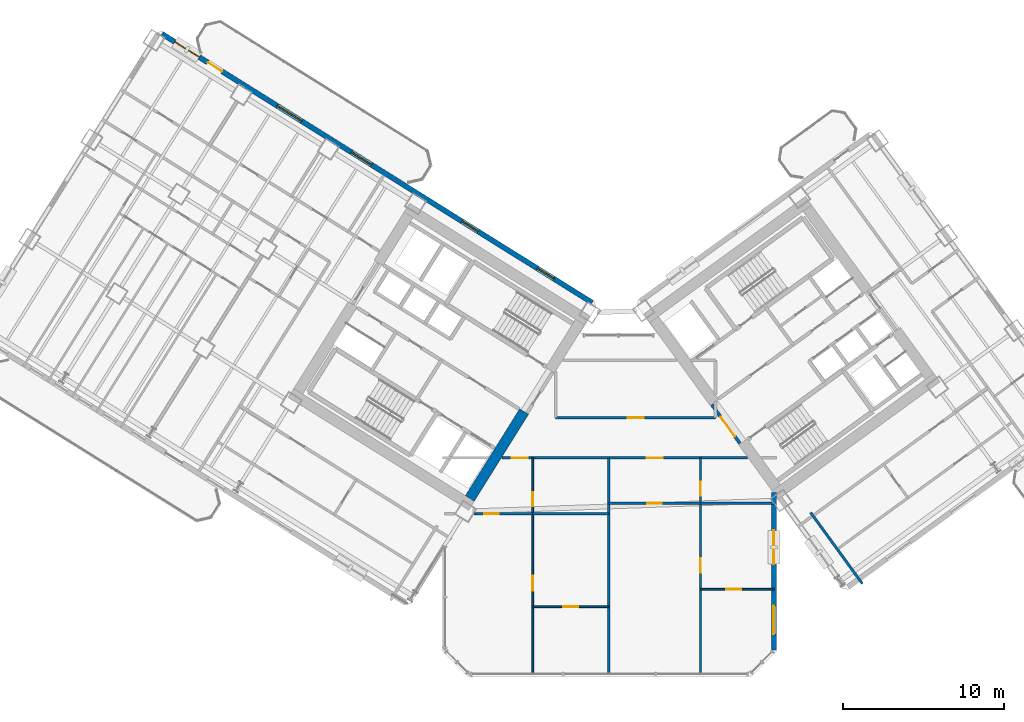
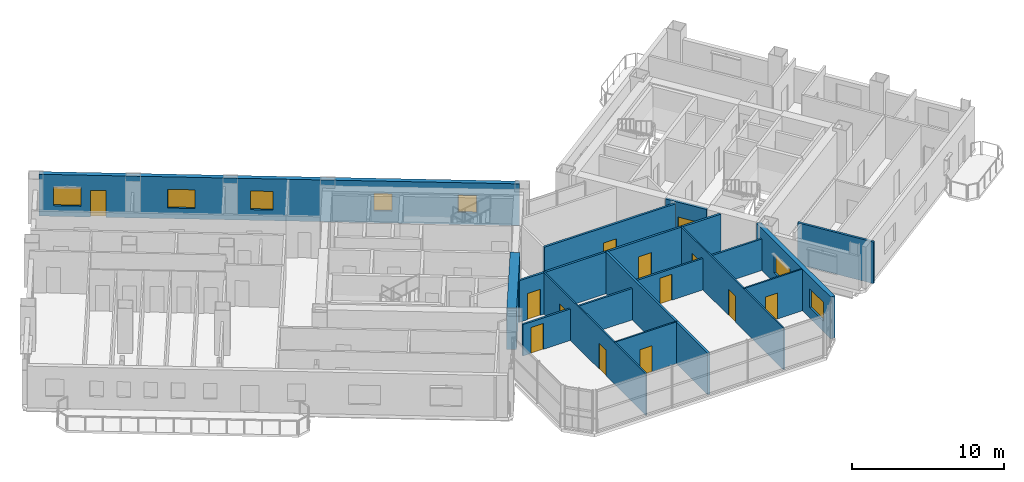
# One storey, part 17 of 24: 16 walls, 13 doors, 7 windows, 20 openings.
"""IFC4 building model written with IfcOpenShell, lengths in metres."""

from ifc_helpers import new_model, si_unit, direction, frame, frame_2d, origin, place, context, subcontext, project, spatial, rectangle, extrude, source, transform, mapped, material, layer, layer_set, type_object, element, fill, save


model = new_model("IFC4")

# Units and contexts
model_context = context("Model", 3, precision=1e-05, world=origin(), true_north=direction((0.0, 1.0)))
body_context = subcontext(model_context, "Body", "Model", "MODEL_VIEW")
ifc_project = project(units=[si_unit("LENGTHUNIT", "METRE"), si_unit("AREAUNIT", "SQUARE_METRE"), si_unit("VOLUMEUNIT", "CUBIC_METRE"), si_unit("PLANEANGLEUNIT", "RADIAN"), si_unit("MASSUNIT", "GRAM", prefix="KILO")], contexts=[model_context])

# Site, building, storey
site_placement = place(None, origin())
site = spatial("IfcSite", under=ifc_project, at=site_placement, CompositionType="ELEMENT")
building_placement = place(site_placement, origin())
building = spatial("IfcBuilding", under=site, at=building_placement, Name="Tlacorven Tower", CompositionType="ELEMENT")
storey_placement = place(building_placement, frame((0.0, 0.0, 31.199951171875)))
storey = spatial("IfcBuildingStorey", under=building, at=storey_placement, Name="L07", CompositionType="ELEMENT", Elevation=31.199951171875)

# Wall
ifc_material_1 = material(Name="Concrete C60/75", Category="concrete")
ifc_layer_1 = layer(ifc_material_1, 0.64990234375)
ifc_layer_set_1 = layer_set([ifc_layer_1], Name="Concrete C60/75")
wall_type_1 = type_object("IfcWallType", Name="WL-COR-650", PredefinedType="SHEAR", material=ifc_layer_set_1)
wall_1_placement = place(storey_placement, frame((36.683349609375, 18.30419921875, 0.0), z_axis=(0.0, 0.0, 1.0), x_axis=(-0.529899109053, -0.848060690178, 0.0)))
element("IfcWall", 1, at=wall_1_placement, inside=storey, type_object=wall_type_1, Name="L07 W core end wall E1.2", PredefinedType="SHEAR", context=body_context, shape_type="SweptSolid", body=[
    extrude(rectangle(XDim=6.375244140625, YDim=0.64990234375, at=frame_2d((3.1875, 0.0))), origin(), (0.0, 0.0, 1.0), 3.35009765625),
])

# Wall, openings, doors
ifc_material_2 = material(Name="Gypsum plasterboard acoustic partition", Category="gypsum")
ifc_layer_2 = layer(ifc_material_2, 0.159912109375)
ifc_layer_set_2 = layer_set([ifc_layer_2], Name="Gypsum plasterboard acoustic partition")
wall_type_2 = type_object("IfcWallType", Name="WL-DEM-160", PredefinedType="PARTITIONING", material=ifc_layer_set_2)
wall_2_placement = place(storey_placement, frame((35.29638671875, 15.419921875, 0.0), z_axis=(0.0, 0.0, 1.0), x_axis=(1.0, 0.0, 0.0)))
wall_2 = element("IfcWall", 2, at=wall_2_placement, inside=storey, type_object=wall_type_2, Name="L07 Knuckle Corridor South Wall", PredefinedType="PARTITIONING", context=body_context, shape_type="SweptSolid", body=[
    extrude(rectangle(XDim=15.310546875, YDim=0.159912109375, at=frame_2d((7.6552734375, 0.0))), origin(), (0.0, 0.0, 1.0), 3.340087890625),
])
opening_1_placement = place(wall_2_placement, frame((0.61474609375, 0.0, 0.0)))
opening_1 = element("IfcOpeningElement", 3, at=opening_1_placement, cuts=wall_2, Name="Opening D11", PredefinedType="OPENING", context=body_context, shape_type="SweptSolid", body=[
    extrude(rectangle(XDim=1.0, YDim=2.10009765625, at=frame_2d((0.5, 1.050048828125))), frame((0.0, 0.08984375, 0.0), z_axis=(0.0, -1.0, 0.0), x_axis=(1.0, 0.0, 0.0)), (0.0, 0.0, 1.0), 0.179931640625),
])
opening_2_placement = place(wall_2_placement, frame((9.03515625, 0.0, 0.0)))
opening_2 = element("IfcOpeningElement", 4, at=opening_2_placement, cuts=wall_2, Name="Opening D11", PredefinedType="OPENING", context=body_context, shape_type="SweptSolid", body=[
    extrude(rectangle(XDim=1.0, YDim=2.10009765625, at=frame_2d((0.5, 1.050048828125))), frame((0.0, 0.08984375, 0.0), z_axis=(0.0, -1.0, 0.0), x_axis=(1.0, 0.0, 0.0)), (0.0, 0.0, 1.0), 0.179931640625),
])
ifc_material_3 = material(Name="Fire-rated steel door assembly", Category="steel")
door_type_1 = type_object("IfcDoorType", Name="DR-FLT-FD60-1000", OperationType="NOTDEFINED", PredefinedType="DOOR", material=ifc_material_3)
shared_shape_1 = source(origin(), body_context, "Body", "SweptSolid", [
    extrude(rectangle(XDim=1.0, YDim=2.10009765625, at=frame_2d((0.5, 1.050048828125))), frame((0.0, 0.02490234375, 0.0), z_axis=(0.0, -1.0, 0.0), x_axis=(1.0, 0.0, 0.0)), (0.0, 0.0, 1.0), 0.050048828125),
])
door_1_placement = place(opening_1_placement, frame((1.0, 0.0, 0.0), z_axis=(0.0, 0.0, 1.0), x_axis=(-1.0, 0.0, 0.0)))
door_1 = element("IfcDoor", 5, at=door_1_placement, inside=storey, type_object=door_type_1, Name="L07 door 046", OperationType="SINGLE_SWING_LEFT", OverallHeight=2.10009765625, OverallWidth=1.0, PredefinedType="DOOR", context=body_context, shape_type="MappedRepresentation", body=[
    mapped(shared_shape_1, transform((0.0, 0.0, 0.0), scale=1.0)),
])
fill(opening_1, door_1)
door_2_placement = place(opening_2_placement, frame((1.0, 0.0, 0.0), z_axis=(0.0, 0.0, 1.0), x_axis=(-1.0, 0.0, 0.0)))
door_2 = element("IfcDoor", 6, at=door_2_placement, inside=storey, type_object=door_type_1, Name="L07 door 051", OperationType="SINGLE_SWING_RIGHT", OverallHeight=2.10009765625, OverallWidth=1.0, PredefinedType="DOOR", context=body_context, shape_type="MappedRepresentation", body=[
    mapped(shared_shape_1, transform((0.0, 0.0, 0.0), scale=1.0)),
])
fill(opening_2, door_2)

# Wall, opening, door
wall_3_placement = place(storey_placement, frame((38.64990234375, 17.929931640625, 0.0), z_axis=(0.0, 0.0, 1.0), x_axis=(1.0, 0.0, 0.0)))
wall_3 = element("IfcWall", 7, at=wall_3_placement, inside=storey, type_object=wall_type_2, Name="L07 partition 75", PredefinedType="PARTITIONING", context=body_context, shape_type="SweptSolid", body=[
    extrude(rectangle(XDim=9.9501953125, YDim=0.159912109375, at=frame_2d((4.97509765625, 0.0))), origin(), (0.0, 0.0, 1.0), 3.340087890625),
])
opening_3_placement = place(wall_3_placement, frame((4.47509765625, 0.0, 0.0)))
opening_3 = element("IfcOpeningElement", 8, at=opening_3_placement, cuts=wall_3, Name="Opening D11", PredefinedType="OPENING", context=body_context, shape_type="SweptSolid", body=[
    extrude(rectangle(XDim=1.0, YDim=2.10009765625, at=frame_2d((0.5, 1.050048828125))), frame((0.0, 0.08984375, 0.0), z_axis=(0.0, -1.0, 0.0), x_axis=(1.0, 0.0, 0.0)), (0.0, 0.0, 1.0), 0.179931640625),
])
door_3_placement = place(opening_3_placement, origin())
door_3 = element("IfcDoor", 9, at=door_3_placement, inside=storey, type_object=door_type_1, Name="L07 door 041", OperationType="SINGLE_SWING_RIGHT", OverallHeight=2.10009765625, OverallWidth=1.0, PredefinedType="DOOR", context=body_context, shape_type="MappedRepresentation", body=[
    mapped(shared_shape_1, transform((0.0, 0.0, 0.0), scale=1.0)),
])
fill(opening_3, door_3)

# Walls
wall_4_placement = place(storey_placement, frame((41.949951171875, 1.9599609375, 0.0), z_axis=(0.0, 0.0, 1.0), x_axis=(0.0, 1.0, 0.0)))
element("IfcWall", 10, at=wall_4_placement, inside=storey, type_object=wall_type_2, Name="L07 Knuckle Demising Wall 1", PredefinedType="PARTITIONING", context=body_context, shape_type="SweptSolid", body=[
    extrude(rectangle(XDim=13.4599609375, YDim=0.159912109375, at=frame_2d((6.72998046875, 0.0))), origin(), (0.0, 0.0, 1.0), 3.340087890625),
])
wall_5_placement = place(storey_placement, frame((57.747314453125, 7.586181640625, 0.0), z_axis=(0.0, 0.0, 1.0), x_axis=(-0.587784893399, 0.809017255126, 0.0)))
element("IfcWall", 11, at=wall_5_placement, inside=storey, type_object=wall_type_2, Name="L07 EC West Throat Wall", PredefinedType="PARTITIONING", context=body_context, shape_type="SweptSolid", body=[
    extrude(rectangle(XDim=5.480224609375, YDim=0.159912109375, at=frame_2d((2.740234375, 0.0))), origin(), (0.0, 0.0, 1.0), 3.340087890625),
])

# Wall, openings, door, windows
ifc_material_4 = material(Name="Precast concrete C45/55", Category="concrete")
ifc_layer_3 = layer(ifc_material_4, 0.320068359375)
ifc_layer_set_3 = layer_set([ifc_layer_3], Name="Precast concrete C45/55")
wall_type_3 = type_object("IfcWallType", Name="WL-EXT-320", PredefinedType="STANDARD", material=ifc_layer_set_3)
wall_6_placement = place(storey_placement, frame((14.13818359375, 41.825439453125, 0.0), z_axis=(0.0, 0.0, 1.0), x_axis=(0.848046498049, -0.529921821731, 0.0)))
wall_6 = element("IfcWall", 12, at=wall_6_placement, inside=storey, type_object=wall_type_3, Name="L07 Masonry-Frame Recessed Facade Wall 3", PredefinedType="STANDARD", context=body_context, shape_type="SweptSolid", body=[
    extrude(rectangle(XDim=31.587646484375, YDim=0.320068359375, at=frame_2d((15.7939453125, 0.0))), origin(), (0.0, 0.0, 1.0), 3.35009765625),
])
opening_4_placement = place(wall_6_placement, frame((3.368896484375, 0.0, 0.0)))
opening_4 = element("IfcOpeningElement", 13, at=opening_4_placement, cuts=wall_6, Name="Opening D06", PredefinedType="OPENING", context=body_context, shape_type="SweptSolid", body=[
    extrude(rectangle(XDim=1.050048828125, YDim=2.14990234375, at=frame_2d((0.52490234375, 1.074951171875))), frame((0.0, 0.169921875, 0.0), z_axis=(0.0, -1.0, 0.0), x_axis=(1.0, 0.0, 0.0)), (0.0, 0.0, 1.0), 0.340087890625),
])
opening_5_placement = place(wall_6_placement, frame((0.9462890625, 0.0, 0.85009765625)))
opening_5 = element("IfcOpeningElement", 14, at=opening_5_placement, cuts=wall_6, Name="Opening WN01", PredefinedType="OPENING", context=body_context, shape_type="SweptSolid", body=[
    extrude(rectangle(XDim=1.800048828125, YDim=1.5, at=frame_2d((0.89990234375, 0.75))), frame((0.0, 0.169921875, 0.0), z_axis=(0.0, -1.0, 0.0), x_axis=(1.0, 0.0, 0.0)), (0.0, 0.0, 1.0), 0.340087890625),
])
opening_6_placement = place(wall_6_placement, frame((8.460205078125, 0.0, 0.85009765625)))
opening_6 = element("IfcOpeningElement", 15, at=opening_6_placement, cuts=wall_6, Name="Opening WN01", PredefinedType="OPENING", context=body_context, shape_type="SweptSolid", body=[
    extrude(rectangle(XDim=1.800048828125, YDim=1.5, at=frame_2d((0.89990234375, 0.75))), frame((0.0, 0.169921875, 0.0), z_axis=(0.0, -1.0, 0.0), x_axis=(1.0, 0.0, 0.0)), (0.0, 0.0, 1.0), 0.340087890625),
])
opening_7_placement = place(wall_6_placement, frame((13.898681640625, 0.0, 0.85009765625)))
opening_7 = element("IfcOpeningElement", 16, at=opening_7_placement, cuts=wall_6, Name="Opening WN02", PredefinedType="OPENING", context=body_context, shape_type="SweptSolid", body=[
    extrude(rectangle(XDim=1.5, YDim=1.5, at=frame_2d((0.75, 0.75))), frame((0.0, 0.169921875, 0.0), z_axis=(0.0, -1.0, 0.0), x_axis=(1.0, 0.0, 0.0)), (0.0, 0.0, 1.0), 0.340087890625),
])
opening_8_placement = place(wall_6_placement, frame((22.018798828125, 0.0, 0.949951171875)))
opening_8 = element("IfcOpeningElement", 17, at=opening_8_placement, cuts=wall_6, Name="Opening WN03", PredefinedType="OPENING", context=body_context, shape_type="SweptSolid", body=[
    extrude(rectangle(XDim=1.199951171875, YDim=1.39990234375, at=frame_2d((0.60009765625, 0.699951171875))), frame((0.0, 0.169921875, 0.0), z_axis=(0.0, -1.0, 0.0), x_axis=(1.0, 0.0, 0.0)), (0.0, 0.0, 1.0), 0.340087890625),
])
opening_9_placement = place(wall_6_placement, frame((27.568603515625, 0.0, 0.949951171875)))
opening_9 = element("IfcOpeningElement", 18, at=opening_9_placement, cuts=wall_6, Name="Opening WN03", PredefinedType="OPENING", context=body_context, shape_type="SweptSolid", body=[
    extrude(rectangle(XDim=1.199951171875, YDim=1.39990234375, at=frame_2d((0.60009765625, 0.699951171875))), frame((0.0, 0.169921875, 0.0), z_axis=(0.0, -1.0, 0.0), x_axis=(1.0, 0.0, 0.0)), (0.0, 0.0, 1.0), 0.340087890625),
])
ifc_material_5 = material(Name="Powder-coated aluminium and timber door", Category="wood")
door_type_2 = type_object("IfcDoorType", Name="DR-EXT-BALC-1050", OperationType="NOTDEFINED", PredefinedType="DOOR", material=ifc_material_5)
shared_shape_2 = source(origin(), body_context, "Body", "SweptSolid", [
    extrude(rectangle(XDim=1.050048828125, YDim=2.14990234375, at=frame_2d((0.52490234375, 1.074951171875))), frame((0.0, 0.02490234375, 0.0), z_axis=(0.0, -1.0, 0.0), x_axis=(1.0, 0.0, 0.0)), (0.0, 0.0, 1.0), 0.050048828125),
])
door_4_placement = place(opening_4_placement, origin())
door_4 = element("IfcDoor", 19, at=door_4_placement, inside=storey, type_object=door_type_2, Name="L07 Outdoor Access Door BAL-L07-W-IN", OperationType="SINGLE_SWING_RIGHT", OverallHeight=2.14990234375, OverallWidth=1.050048828125, PredefinedType="DOOR", context=body_context, shape_type="MappedRepresentation", body=[
    mapped(shared_shape_2, transform((0.0, 0.0, 0.0), scale=1.0)),
])
fill(opening_4, door_4)
ifc_material_6 = material(Name="Dark solar low-E double glazing in anodised aluminium frame", Category="aluminium")
window_type_1 = type_object("IfcWindowType", Name="WN-APT-1200X1500", PartitioningType="SINGLE_PANEL", PredefinedType="WINDOW", material=ifc_material_6)
shared_shape_3 = source(origin(), body_context, "Body", "SweptSolid", [
    extrude(rectangle(XDim=1.199951171875, YDim=1.39990234375, at=frame_2d((0.60009765625, 0.699951171875))), frame((0.0, 0.030029296875, 0.0), z_axis=(0.0, -1.0, 0.0), x_axis=(1.0, 0.0, 0.0)), (0.0, 0.0, 1.0), 0.06005859375),
])
window_1_placement = place(opening_8_placement, origin())
window_1 = element("IfcWindow", 20, at=window_1_placement, inside=storey, type_object=window_type_1, Name="L07 Recessed Masonry-Frame Window L07-03.4", OverallHeight=1.39990234375, OverallWidth=1.199951171875, PartitioningType="SINGLE_PANEL", PredefinedType="WINDOW", context=body_context, shape_type="MappedRepresentation", body=[
    mapped(shared_shape_3, transform((0.0, 0.0, 0.0), scale=1.0)),
])
fill(opening_8, window_1)
window_2_placement = place(opening_9_placement, origin())
window_2 = element("IfcWindow", 21, at=window_2_placement, inside=storey, type_object=window_type_1, Name="L07 Recessed Masonry-Frame Window L07-03.5", OverallHeight=1.39990234375, OverallWidth=1.199951171875, PartitioningType="SINGLE_PANEL", PredefinedType="WINDOW", context=body_context, shape_type="MappedRepresentation", body=[
    mapped(shared_shape_3, transform((0.0, 0.0, 0.0), scale=1.0)),
])
fill(opening_9, window_2)
window_type_2 = type_object("IfcWindowType", Name="WN-APT-1800X1650", PartitioningType="SINGLE_PANEL", PredefinedType="WINDOW", material=ifc_material_6)
shared_shape_4 = source(origin(), body_context, "Body", "SweptSolid", [
    extrude(rectangle(XDim=1.800048828125, YDim=1.5, at=frame_2d((0.89990234375, 0.75))), frame((0.0, 0.030029296875, 0.0), z_axis=(0.0, -1.0, 0.0), x_axis=(1.0, 0.0, 0.0)), (0.0, 0.0, 1.0), 0.06005859375),
])
window_3_placement = place(opening_5_placement, origin())
window_3 = element("IfcWindow", 22, at=window_3_placement, inside=storey, type_object=window_type_2, Name="L07 Recessed Masonry-Frame Window L07-03.1", OverallHeight=1.5, OverallWidth=1.800048828125, PartitioningType="SINGLE_PANEL", PredefinedType="WINDOW", context=body_context, shape_type="MappedRepresentation", body=[
    mapped(shared_shape_4, transform((0.0, 0.0, 0.0), scale=1.0)),
])
fill(opening_5, window_3)
window_4_placement = place(opening_6_placement, origin())
window_4 = element("IfcWindow", 23, at=window_4_placement, inside=storey, type_object=window_type_2, Name="L07 Recessed Masonry-Frame Window L07-03.2", OverallHeight=1.5, OverallWidth=1.800048828125, PartitioningType="SINGLE_PANEL", PredefinedType="WINDOW", context=body_context, shape_type="MappedRepresentation", body=[
    mapped(shared_shape_4, transform((0.0, 0.0, 0.0), scale=1.0)),
])
fill(opening_6, window_4)
window_type_3 = type_object("IfcWindowType", Name="WN-APT-1500X1650", PartitioningType="SINGLE_PANEL", PredefinedType="WINDOW", material=ifc_material_6)
shared_shape_5 = source(origin(), body_context, "Body", "SweptSolid", [
    extrude(rectangle(XDim=1.5, YDim=1.5, at=frame_2d((0.75, 0.75))), frame((0.0, 0.030029296875, 0.0), z_axis=(0.0, -1.0, 0.0), x_axis=(1.0, 0.0, 0.0)), (0.0, 0.0, 1.0), 0.06005859375),
])
window_5_placement = place(opening_7_placement, origin())
window_5 = element("IfcWindow", 24, at=window_5_placement, inside=storey, type_object=window_type_3, Name="L07 Recessed Masonry-Frame Window L07-03.3", OverallHeight=1.5, OverallWidth=1.5, PartitioningType="SINGLE_PANEL", PredefinedType="WINDOW", context=body_context, shape_type="MappedRepresentation", body=[
    mapped(shared_shape_5, transform((0.0, 0.0, 0.0), scale=1.0)),
])
fill(opening_7, window_5)

# Wall, openings, windows
wall_7_placement = place(storey_placement, frame((52.239990234375, 13.260986328125, 0.0), z_axis=(0.0, 0.0, 1.0), x_axis=(0.0, -1.0, 0.0)))
wall_7 = element("IfcWall", 25, at=wall_7_placement, inside=storey, type_object=wall_type_3, Name="L07 Masonry-Frame Recessed Facade Wall 8", PredefinedType="STANDARD", context=body_context, shape_type="SweptSolid", body=[
    extrude(rectangle(XDim=9.794677734375, YDim=0.320068359375, at=frame_2d((4.8974609375, 0.0))), origin(), (0.0, 0.0, 1.0), 3.35009765625),
])
opening_10_placement = place(wall_7_placement, frame((2.349365234375, 0.0, 0.800048828125)))
opening_10 = element("IfcOpeningElement", 26, at=opening_10_placement, cuts=wall_7, Name="Opening WN04", PredefinedType="OPENING", context=body_context, shape_type="SweptSolid", body=[
    extrude(rectangle(XDim=2.10009765625, YDim=1.550048828125, at=frame_2d((1.050048828125, 0.77490234375))), frame((0.0, 0.169921875, 0.0), z_axis=(0.0, -1.0, 0.0), x_axis=(1.0, 0.0, 0.0)), (0.0, 0.0, 1.0), 0.340087890625),
])
opening_11_placement = place(wall_7_placement, frame((7.0302734375, 0.0, 0.85009765625)))
opening_11 = element("IfcOpeningElement", 27, at=opening_11_placement, cuts=wall_7, Name="Opening WN01", PredefinedType="OPENING", context=body_context, shape_type="SweptSolid", body=[
    extrude(rectangle(XDim=1.800048828125, YDim=1.5, at=frame_2d((0.89990234375, 0.75))), frame((0.0, 0.169921875, 0.0), z_axis=(0.0, -1.0, 0.0), x_axis=(1.0, 0.0, 0.0)), (0.0, 0.0, 1.0), 0.340087890625),
])
window_type_4 = type_object("IfcWindowType", Name="WN-APT-2100X1750", PartitioningType="SINGLE_PANEL", PredefinedType="WINDOW", material=ifc_material_6)
shared_shape_6 = source(origin(), body_context, "Body", "SweptSolid", [
    extrude(rectangle(XDim=2.10009765625, YDim=1.550048828125, at=frame_2d((1.050048828125, 0.77490234375))), frame((0.0, 0.030029296875, 0.0), z_axis=(0.0, -1.0, 0.0), x_axis=(1.0, 0.0, 0.0)), (0.0, 0.0, 1.0), 0.06005859375),
])
window_6_placement = place(opening_10_placement, origin())
window_6 = element("IfcWindow", 28, at=window_6_placement, inside=storey, type_object=window_type_4, Name="L07 Recessed Masonry-Frame Window L07-08.1", OverallHeight=1.550048828125, OverallWidth=2.10009765625, PartitioningType="SINGLE_PANEL", PredefinedType="WINDOW", context=body_context, shape_type="MappedRepresentation", body=[
    mapped(shared_shape_6, transform((0.0, 0.0, 0.0), scale=1.0)),
])
fill(opening_10, window_6)
window_7_placement = place(opening_11_placement, origin())
window_7 = element("IfcWindow", 29, at=window_7_placement, inside=storey, type_object=window_type_2, Name="L07 Recessed Masonry-Frame Window L07-08.2", OverallHeight=1.5, OverallWidth=1.800048828125, PartitioningType="SINGLE_PANEL", PredefinedType="WINDOW", context=body_context, shape_type="MappedRepresentation", body=[
    mapped(shared_shape_4, transform((0.0, 0.0, 0.0), scale=1.0)),
])
fill(opening_11, window_7)

# Wall, openings, doors
ifc_material_7 = material(Name="Gypsum plasterboard partition", Category="gypsum")
ifc_layer_4 = layer(ifc_material_7, 0.110107421875)
ifc_layer_set_4 = layer_set([ifc_layer_4], Name="Gypsum plasterboard partition")
wall_type_4 = type_object("IfcWallType", Name="WL-INT-110", PredefinedType="PARTITIONING", material=ifc_layer_set_4)
wall_8_placement = place(storey_placement, frame((37.221923828125, 1.9599609375, 0.0), z_axis=(0.0, 0.0, 1.0), x_axis=(0.0, 1.0, 0.0)))
wall_8 = element("IfcWall", 30, at=wall_8_placement, inside=storey, type_object=wall_type_4, Name="L07 partition 81", PredefinedType="PARTITIONING", context=body_context, shape_type="SweptSolid", body=[
    extrude(rectangle(XDim=13.4599609375, YDim=0.110107421875, at=frame_2d((6.72998046875, 0.0))), origin(), (0.0, 0.0, 1.0), 3.340087890625),
])
opening_12_placement = place(wall_8_placement, frame((5.199951171875, 0.0, 0.0)))
opening_12 = element("IfcOpeningElement", 31, at=opening_12_placement, cuts=wall_8, Name="Opening D12", PredefinedType="OPENING", context=body_context, shape_type="SweptSolid", body=[
    extrude(rectangle(XDim=0.919921875, YDim=2.080078125, at=frame_2d((0.4599609375, 1.0400390625))), frame((0.0, 0.06494140625, 0.0), z_axis=(0.0, -1.0, 0.0), x_axis=(1.0, 0.0, 0.0)), (0.0, 0.0, 1.0), 0.130126953125),
])
opening_13_placement = place(wall_8_placement, frame((10.449951171875, 0.0, 0.0)))
opening_13 = element("IfcOpeningElement", 32, at=opening_13_placement, cuts=wall_8, Name="Opening D13", PredefinedType="OPENING", context=body_context, shape_type="SweptSolid", body=[
    extrude(rectangle(XDim=0.8798828125, YDim=2.080078125, at=frame_2d((0.43994140625, 1.0400390625))), frame((0.0, 0.06494140625, 0.0), z_axis=(0.0, -1.0, 0.0), x_axis=(1.0, 0.0, 0.0)), (0.0, 0.0, 1.0), 0.130126953125),
])
door_type_3 = type_object("IfcDoorType", Name="DR-INT-WET-0880", OperationType="NOTDEFINED", PredefinedType="DOOR", material=ifc_material_5)
shared_shape_7 = source(origin(), body_context, "Body", "SweptSolid", [
    extrude(rectangle(XDim=0.8798828125, YDim=2.080078125, at=frame_2d((0.43994140625, 1.0400390625))), frame((0.0, 0.02490234375, 0.0), z_axis=(0.0, -1.0, 0.0), x_axis=(1.0, 0.0, 0.0)), (0.0, 0.0, 1.0), 0.050048828125),
])
door_5_placement = place(opening_13_placement, origin())
door_5 = element("IfcDoor", 33, at=door_5_placement, inside=storey, type_object=door_type_3, Name="L07 door 048", OperationType="SINGLE_SWING_LEFT", OverallHeight=2.080078125, OverallWidth=0.8798828125, PredefinedType="DOOR", context=body_context, shape_type="MappedRepresentation", body=[
    mapped(shared_shape_7, transform((0.0, 0.0, 0.0), scale=1.0)),
])
fill(opening_13, door_5)
door_type_4 = type_object("IfcDoorType", Name="DR-INT-ROOM-0920", OperationType="NOTDEFINED", PredefinedType="DOOR", material=ifc_material_5)
shared_shape_8 = source(origin(), body_context, "Body", "SweptSolid", [
    extrude(rectangle(XDim=0.919921875, YDim=2.080078125, at=frame_2d((0.4599609375, 1.0400390625))), frame((0.0, 0.02490234375, 0.0), z_axis=(0.0, -1.0, 0.0), x_axis=(1.0, 0.0, 0.0)), (0.0, 0.0, 1.0), 0.050048828125),
])
door_6_placement = place(opening_12_placement, origin())
door_6 = element("IfcDoor", 34, at=door_6_placement, inside=storey, type_object=door_type_4, Name="L07 door 044", OperationType="SINGLE_SWING_LEFT", OverallHeight=2.080078125, OverallWidth=0.919921875, PredefinedType="DOOR", context=body_context, shape_type="MappedRepresentation", body=[
    mapped(shared_shape_8, transform((0.0, 0.0, 0.0), scale=1.0)),
])
fill(opening_12, door_6)

# Wall, opening, door
wall_9_placement = place(storey_placement, frame((37.221923828125, 6.14990234375, 0.0), z_axis=(0.0, 0.0, 1.0), x_axis=(1.0, 0.0, 0.0)))
wall_9 = element("IfcWall", 35, at=wall_9_placement, inside=storey, type_object=wall_type_4, Name="L07 partition 84", PredefinedType="PARTITIONING", context=body_context, shape_type="SweptSolid", body=[
    extrude(rectangle(XDim=4.72802734375, YDim=0.110107421875, at=frame_2d((2.364013671875, 0.0))), origin(), (0.0, 0.0, 1.0), 3.340087890625),
])
opening_14_placement = place(wall_9_placement, frame((1.904052734375, 0.0, 0.0)))
opening_14 = element("IfcOpeningElement", 36, at=opening_14_placement, cuts=wall_9, Name="Opening D12", PredefinedType="OPENING", context=body_context, shape_type="SweptSolid", body=[
    extrude(rectangle(XDim=0.919921875, YDim=2.080078125, at=frame_2d((0.4599609375, 1.0400390625))), frame((0.0, 0.06494140625, 0.0), z_axis=(0.0, -1.0, 0.0), x_axis=(1.0, 0.0, 0.0)), (0.0, 0.0, 1.0), 0.130126953125),
])
door_7_placement = place(opening_14_placement, origin())
door_7 = element("IfcDoor", 37, at=door_7_placement, inside=storey, type_object=door_type_4, Name="L07 door 045", OperationType="SINGLE_SWING_RIGHT", OverallHeight=2.080078125, OverallWidth=0.919921875, PredefinedType="DOOR", context=body_context, shape_type="MappedRepresentation", body=[
    mapped(shared_shape_8, transform((0.0, 0.0, 0.0), scale=1.0)),
])
fill(opening_14, door_7)

# Wall, openings, doors
wall_10_placement = place(storey_placement, frame((47.6630859375, 1.9599609375, 0.0), z_axis=(0.0, 0.0, 1.0), x_axis=(0.0, 1.0, 0.0)))
wall_10 = element("IfcWall", 38, at=wall_10_placement, inside=storey, type_object=wall_type_4, Name="L07 partition 85", PredefinedType="PARTITIONING", context=body_context, shape_type="SweptSolid", body=[
    extrude(rectangle(XDim=13.4599609375, YDim=0.110107421875, at=frame_2d((6.72998046875, 0.0))), origin(), (0.0, 0.0, 1.0), 3.340087890625),
])
opening_15_placement = place(wall_10_placement, frame((6.300048828125, 0.0, 0.0)))
opening_15 = element("IfcOpeningElement", 39, at=opening_15_placement, cuts=wall_10, Name="Opening D12", PredefinedType="OPENING", context=body_context, shape_type="SweptSolid", body=[
    extrude(rectangle(XDim=0.919921875, YDim=2.080078125, at=frame_2d((0.4599609375, 1.0400390625))), frame((0.0, 0.06494140625, 0.0), z_axis=(0.0, -1.0, 0.0), x_axis=(1.0, 0.0, 0.0)), (0.0, 0.0, 1.0), 0.130126953125),
])
opening_16_placement = place(wall_10_placement, frame((11.10009765625, 0.0, 0.0)))
opening_16 = element("IfcOpeningElement", 40, at=opening_16_placement, cuts=wall_10, Name="Opening D13", PredefinedType="OPENING", context=body_context, shape_type="SweptSolid", body=[
    extrude(rectangle(XDim=0.8798828125, YDim=2.080078125, at=frame_2d((0.43994140625, 1.0400390625))), frame((0.0, 0.06494140625, 0.0), z_axis=(0.0, -1.0, 0.0), x_axis=(1.0, 0.0, 0.0)), (0.0, 0.0, 1.0), 0.130126953125),
])
door_8_placement = place(opening_16_placement, origin())
door_8 = element("IfcDoor", 41, at=door_8_placement, inside=storey, type_object=door_type_3, Name="L07 door 053", OperationType="SINGLE_SWING_RIGHT", OverallHeight=2.080078125, OverallWidth=0.8798828125, PredefinedType="DOOR", context=body_context, shape_type="MappedRepresentation", body=[
    mapped(shared_shape_7, transform((0.0, 0.0, 0.0), scale=1.0)),
])
fill(opening_16, door_8)
door_9_placement = place(opening_15_placement, origin())
door_9 = element("IfcDoor", 42, at=door_9_placement, inside=storey, type_object=door_type_4, Name="L07 door 049", OperationType="SINGLE_SWING_RIGHT", OverallHeight=2.080078125, OverallWidth=0.919921875, PredefinedType="DOOR", context=body_context, shape_type="MappedRepresentation", body=[
    mapped(shared_shape_8, transform((0.0, 0.0, 0.0), scale=1.0)),
])
fill(opening_15, door_9)

# Wall, opening, door
wall_11_placement = place(storey_placement, frame((47.6630859375, 7.25, 0.0), z_axis=(0.0, 0.0, 1.0), x_axis=(1.0, 0.0, 0.0)))
wall_11 = element("IfcWall", 43, at=wall_11_placement, inside=storey, type_object=wall_type_4, Name="L07 partition 88", PredefinedType="PARTITIONING", context=body_context, shape_type="SweptSolid", body=[
    extrude(rectangle(XDim=4.596923828125, YDim=0.110107421875, at=frame_2d((2.29833984375, 0.0))), origin(), (0.0, 0.0, 1.0), 3.340087890625),
])
opening_17_placement = place(wall_11_placement, frame((1.6083984375, 0.0, 0.0)))
opening_17 = element("IfcOpeningElement", 44, at=opening_17_placement, cuts=wall_11, Name="Opening D12", PredefinedType="OPENING", context=body_context, shape_type="SweptSolid", body=[
    extrude(rectangle(XDim=0.919921875, YDim=2.080078125, at=frame_2d((0.4599609375, 1.0400390625))), frame((0.0, 0.06494140625, 0.0), z_axis=(0.0, -1.0, 0.0), x_axis=(1.0, 0.0, 0.0)), (0.0, 0.0, 1.0), 0.130126953125),
])
door_10_placement = place(opening_17_placement, origin())
door_10 = element("IfcDoor", 45, at=door_10_placement, inside=storey, type_object=door_type_4, Name="L07 door 050", OperationType="SINGLE_SWING_LEFT", OverallHeight=2.080078125, OverallWidth=0.919921875, PredefinedType="DOOR", context=body_context, shape_type="MappedRepresentation", body=[
    mapped(shared_shape_8, transform((0.0, 0.0, 0.0), scale=1.0)),
])
fill(opening_17, door_10)

ifc_material_8 = material(Name="Moisture-resistant gypsum plumbing wall", Category="gypsum")
ifc_layer_5 = layer(ifc_material_8, 0.139892578125)
ifc_layer_set_5 = layer_set([ifc_layer_5], Name="Moisture-resistant gypsum plumbing wall")
wall_type_5 = type_object("IfcWallType", Name="WL-PLM-140", PredefinedType="PLUMBINGWALL", material=ifc_layer_set_5)
wall_12_placement = place(storey_placement, frame((33.564453125, 11.949951171875, 0.0), z_axis=(0.0, 0.0, 1.0), x_axis=(1.0, 0.0, 0.0)))
wall_12 = element("IfcWall", 46, at=wall_12_placement, inside=storey, type_object=wall_type_5, Name="L07 partition 82", PredefinedType="PLUMBINGWALL", context=body_context, shape_type="SweptSolid", body=[
    extrude(rectangle(XDim=3.657470703125, YDim=0.139892578125, at=frame_2d((1.82861328125, 0.0))), origin(), (0.0, 0.0, 1.0), 2.525146484375),
])
opening_18_placement = place(wall_12_placement, frame((0.63671875, 0.0, 0.0)))
opening_18 = element("IfcOpeningElement", 47, at=opening_18_placement, cuts=wall_12, Name="Opening D12", PredefinedType="OPENING", context=body_context, shape_type="SweptSolid", body=[
    extrude(rectangle(XDim=0.919921875, YDim=2.080078125, at=frame_2d((0.4599609375, 1.0400390625))), frame((0.0, 0.080078125, 0.0), z_axis=(0.0, -1.0, 0.0), x_axis=(1.0, 0.0, 0.0)), (0.0, 0.0, 1.0), 0.159912109375),
])
door_11_placement = place(opening_18_placement, frame((0.919921875, 0.0, 0.0), z_axis=(0.0, 0.0, 1.0), x_axis=(-1.0, 0.0, 0.0)))
door_11 = element("IfcDoor", 48, at=door_11_placement, inside=storey, type_object=door_type_4, Name="L07 door 047", OperationType="SINGLE_SWING_RIGHT", OverallHeight=2.080078125, OverallWidth=0.919921875, PredefinedType="DOOR", context=body_context, shape_type="MappedRepresentation", body=[
    mapped(shared_shape_8, transform((0.0, 0.0, 0.0), scale=1.0)),
])
fill(opening_18, door_11)

# Wall
wall_13_placement = place(storey_placement, frame((37.221923828125, 11.949951171875, 0.0), z_axis=(0.0, 0.0, 1.0), x_axis=(1.0, 0.0, 0.0)))
element("IfcWall", 49, at=wall_13_placement, inside=storey, type_object=wall_type_5, Name="L07 partition 83", PredefinedType="PLUMBINGWALL", context=body_context, shape_type="SweptSolid", body=[
    extrude(rectangle(XDim=4.72802734375, YDim=0.139892578125, at=frame_2d((2.364013671875, 0.0))), origin(), (0.0, 0.0, 1.0), 2.525146484375),
])

# Wall, opening, door
wall_14_placement = place(storey_placement, frame((41.949951171875, 12.60009765625, 0.0), z_axis=(0.0, 0.0, 1.0), x_axis=(1.0, 0.0, 0.0)))
wall_14 = element("IfcWall", 50, at=wall_14_placement, inside=storey, type_object=wall_type_5, Name="L07 partition 86", PredefinedType="PLUMBINGWALL", context=body_context, shape_type="SweptSolid", body=[
    extrude(rectangle(XDim=5.713134765625, YDim=0.139892578125, at=frame_2d((2.8564453125, 0.0))), origin(), (0.0, 0.0, 1.0), 2.525146484375),
])
opening_19_placement = place(wall_14_placement, frame((2.396484375, 0.0, 0.0)))
opening_19 = element("IfcOpeningElement", 51, at=opening_19_placement, cuts=wall_14, Name="Opening D12", PredefinedType="OPENING", context=body_context, shape_type="SweptSolid", body=[
    extrude(rectangle(XDim=0.919921875, YDim=2.080078125, at=frame_2d((0.4599609375, 1.0400390625))), frame((0.0, 0.080078125, 0.0), z_axis=(0.0, -1.0, 0.0), x_axis=(1.0, 0.0, 0.0)), (0.0, 0.0, 1.0), 0.159912109375),
])
door_12_placement = place(opening_19_placement, frame((0.919921875, 0.0, 0.0), z_axis=(0.0, 0.0, 1.0), x_axis=(-1.0, 0.0, 0.0)))
door_12 = element("IfcDoor", 52, at=door_12_placement, inside=storey, type_object=door_type_4, Name="L07 door 052", OperationType="SINGLE_SWING_LEFT", OverallHeight=2.080078125, OverallWidth=0.919921875, PredefinedType="DOOR", context=body_context, shape_type="MappedRepresentation", body=[
    mapped(shared_shape_8, transform((0.0, 0.0, 0.0), scale=1.0)),
])
fill(opening_19, door_12)

# Wall
wall_15_placement = place(storey_placement, frame((47.6630859375, 12.60009765625, 0.0), z_axis=(0.0, 0.0, 1.0), x_axis=(1.0, 0.0, 0.0)))
element("IfcWall", 53, at=wall_15_placement, inside=storey, type_object=wall_type_5, Name="L07 partition 87", PredefinedType="PLUMBINGWALL", context=body_context, shape_type="SweptSolid", body=[
    extrude(rectangle(XDim=4.535400390625, YDim=0.139892578125, at=frame_2d((2.267578125, 0.0))), origin(), (0.0, 0.0, 1.0), 2.525146484375),
])

# Wall, opening, door
ifc_material_9 = material(Name="Concrete C40/50", Category="concrete")
ifc_layer_6 = layer(ifc_material_9, 0.199951171875)
ifc_layer_set_6 = layer_set([ifc_layer_6], Name="Concrete C40/50")
wall_type_6 = type_object("IfcWallType", Name="WL-SHF-200", PredefinedType="STANDARD", material=ifc_layer_set_6)
wall_16_placement = place(storey_placement, frame((50.119140625, 16.3330078125, 0.0), z_axis=(0.0, 0.0, 1.0), x_axis=(-0.587749856981, 0.809042709391, 0.0)))
wall_16 = element("IfcWall", 54, at=wall_16_placement, inside=storey, type_object=wall_type_6, Name="L07 partition 79", PredefinedType="STANDARD", context=body_context, shape_type="SweptSolid", body=[
    extrude(rectangle(XDim=2.9599609375, YDim=0.199951171875, at=frame_2d((1.47998046875, 0.0))), origin(), (0.0, 0.0, 1.0), 3.340087890625),
])
opening_20_placement = place(wall_16_placement, frame((0.530029296875, 0.0, 0.0)))
opening_20 = element("IfcOpeningElement", 55, at=opening_20_placement, cuts=wall_16, Name="Opening D10", PredefinedType="OPENING", context=body_context, shape_type="SweptSolid", body=[
    extrude(rectangle(XDim=1.5, YDim=2.14990234375, at=frame_2d((0.75, 1.074951171875))), frame((0.0, 0.10986328125, 0.0), z_axis=(0.0, -1.0, 0.0), x_axis=(1.0, 0.0, 0.0)), (0.0, 0.0, 1.0), 0.219970703125),
])
door_type_5 = type_object("IfcDoorType", Name="DR-LOB-FD60-1500", OperationType="DOUBLE_DOOR_SINGLE_SWING", PredefinedType="DOOR", material=ifc_material_3)
shared_shape_9 = source(origin(), body_context, "Body", "SweptSolid", [
    extrude(rectangle(XDim=1.5, YDim=2.14990234375, at=frame_2d((0.75, 1.074951171875))), frame((0.0, 0.02490234375, 0.0), z_axis=(0.0, -1.0, 0.0), x_axis=(1.0, 0.0, 0.0)), (0.0, 0.0, 1.0), 0.050048828125),
])
door_13_placement = place(opening_20_placement, frame((1.5, 0.0, 0.0), z_axis=(0.0, 0.0, 1.0), x_axis=(-1.0, 0.0, 0.0)))
door_13 = element("IfcDoor", 56, at=door_13_placement, inside=storey, type_object=door_type_5, Name="L07 door 043", OperationType="DOUBLE_DOOR_SINGLE_SWING", OverallHeight=2.14990234375, OverallWidth=1.5, PredefinedType="DOOR", context=body_context, shape_type="MappedRepresentation", body=[
    mapped(shared_shape_9, transform((0.0, 0.0, 0.0), scale=1.0)),
])
fill(opening_20, door_13)

save(model, "model.ifc")
